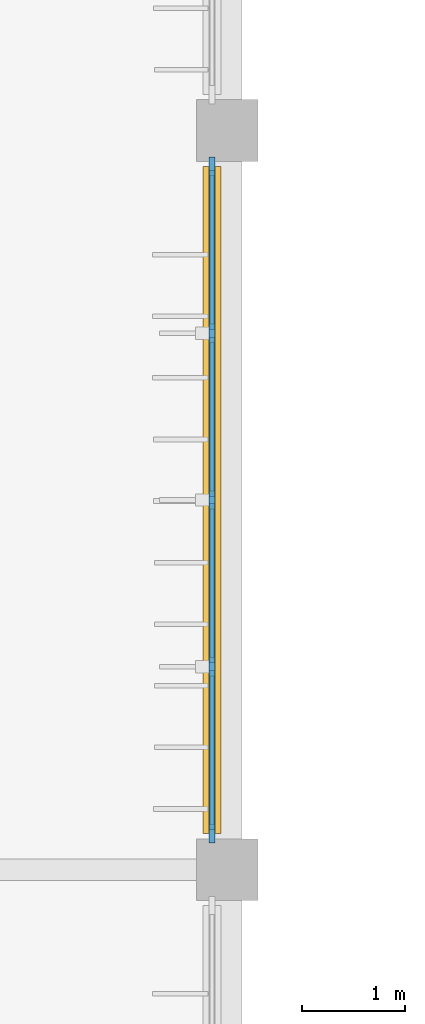
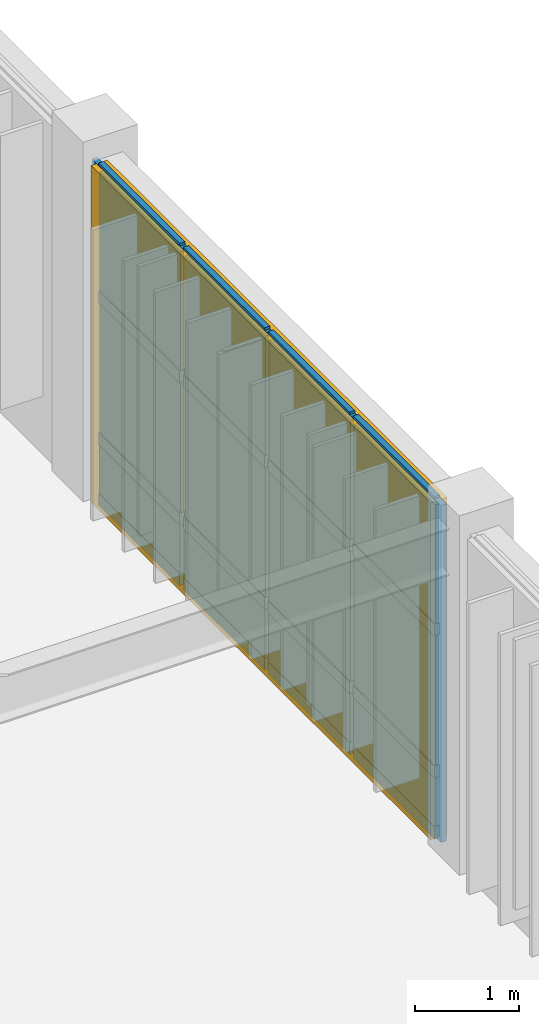
# One storey, part 73 of 122: 21 members, 12 plates, 1 curtain wall.
"""IFC4 building model written with IfcOpenShell, lengths in metres."""

from ifc_helpers import new_model, si_unit, direction, frame, frame_2d, origin, origin_2d, place, context, subcontext, project, spatial, rectangle, extrude, material, layer, layer_set, material_profile, profile_set, type_object, element, aggregate, save


model = new_model("IFC4")

# Units and contexts
model_context = context("Model", 3, precision=1e-05, world=origin(), true_north=direction((0.0, 1.0)))
body_context = subcontext(model_context, "Body", "Model", "MODEL_VIEW")
ifc_project = project(units=[si_unit("LENGTHUNIT", "METRE"), si_unit("AREAUNIT", "SQUARE_METRE"), si_unit("VOLUMEUNIT", "CUBIC_METRE"), si_unit("PLANEANGLEUNIT", "RADIAN"), si_unit("MASSUNIT", "GRAM", prefix="KILO")], contexts=[model_context])

# Member
ifc_material_1 = material(Name="Anodised Bronze Aluminium 6063-T6", Category="aluminium")
ifc_material_profile_1 = material_profile(ifc_material_1, rectangle(XDim=0.06005859375, YDim=0.179931640625, at=origin_2d()), Name="ALU MULLION 60x180")
ifc_profile_set_1 = profile_set([ifc_material_profile_1], Name="Anodised Bronze Aluminium 6063-T6")
member_type_1 = type_object("IfcMemberType", Name="Curtain-Wall Primary Mullion 60x180", PredefinedType="MULLION", material=ifc_profile_set_1)
site_placement = place(None, origin())
building_placement = place(site_placement, origin())
storey_placement = place(building_placement, frame((0.0, 0.0, 4.800048828125)))
member_1_placement = place(storey_placement, frame((27.449951171875, 59.35009765625, 0.0), z_axis=(0.0, 0.0, 1.0), x_axis=(1.0, 0.0, 0.0)))
member_1 = element("IfcMember", 1, at=member_1_placement, type_object=member_type_1, Name="Mullion CWM-01 CW-V6-E1-L01-B3-M01", PredefinedType="MULLION", context=body_context, shape_type="SweptSolid", body=[
    extrude(rectangle(XDim=0.06005859375, YDim=0.179931640625, at=origin_2d()), origin(), (0.0, 0.0, 1.0), 3.93994140625),
])

member_2_placement = place(storey_placement, frame((27.449951171875, 60.97509765625, 0.0), z_axis=(0.0, 0.0, 1.0), x_axis=(1.0, 0.0, 0.0)))
member_2 = element("IfcMember", 2, at=member_2_placement, type_object=member_type_1, Name="Mullion CWM-01 CW-V6-E1-L01-B3-M02", PredefinedType="MULLION", context=body_context, shape_type="SweptSolid", body=[
    extrude(rectangle(XDim=0.06005859375, YDim=0.179931640625, at=origin_2d()), origin(), (0.0, 0.0, 1.0), 3.93994140625),
])

member_3_placement = place(storey_placement, frame((27.449951171875, 62.60009765625, 0.0), z_axis=(0.0, 0.0, 1.0), x_axis=(1.0, 0.0, 0.0)))
member_3 = element("IfcMember", 3, at=member_3_placement, type_object=member_type_1, Name="Mullion CWM-01 CW-V6-E1-L01-B3-M03", PredefinedType="MULLION", context=body_context, shape_type="SweptSolid", body=[
    extrude(rectangle(XDim=0.06005859375, YDim=0.179931640625, at=origin_2d()), origin(), (0.0, 0.0, 1.0), 3.93994140625),
])

member_4_placement = place(storey_placement, frame((27.449951171875, 64.22509765625, 0.0), z_axis=(0.0, 0.0, 1.0), x_axis=(1.0, 0.0, 0.0)))
member_4 = element("IfcMember", 4, at=member_4_placement, type_object=member_type_1, Name="Mullion CWM-01 CW-V6-E1-L01-B3-M04", PredefinedType="MULLION", context=body_context, shape_type="SweptSolid", body=[
    extrude(rectangle(XDim=0.06005859375, YDim=0.179931640625, at=origin_2d()), origin(), (0.0, 0.0, 1.0), 3.93994140625),
])

member_5_placement = place(storey_placement, frame((27.449951171875, 65.85009765625, 0.0), z_axis=(0.0, 0.0, 1.0), x_axis=(1.0, 0.0, 0.0)))
member_5 = element("IfcMember", 5, at=member_5_placement, type_object=member_type_1, Name="Mullion CWM-01 CW-V6-E1-L01-B3-M05", PredefinedType="MULLION", context=body_context, shape_type="SweptSolid", body=[
    extrude(rectangle(XDim=0.06005859375, YDim=0.179931640625, at=origin_2d()), origin(), (0.0, 0.0, 1.0), 3.93994140625),
])

ifc_material_profile_2 = material_profile(ifc_material_1, rectangle(XDim=0.06005859375, YDim=0.139892578125, at=origin_2d()), Name="ALU TRANSOM 60x140")
ifc_profile_set_2 = profile_set([ifc_material_profile_2], Name="Anodised Bronze Aluminium 6063-T6")
member_type_2 = type_object("IfcMemberType", Name="Curtain-Wall Transom 60x140", PredefinedType="USERDEFINED", material=ifc_profile_set_2)
member_6_placement = place(storey_placement, frame((27.449951171875, 59.385009765625, 0.0400390625), z_axis=(0.0, 1.0, 0.0), x_axis=(-1.0, 0.0, 0.0)))
member_6 = element("IfcMember", 6, at=member_6_placement, type_object=member_type_2, Name="Transom CWT-01 CW-V6-E1-L01-B3-T01.1", ObjectType="TRANSOM", PredefinedType="USERDEFINED", context=body_context, shape_type="SweptSolid", body=[
    extrude(rectangle(XDim=0.06005859375, YDim=0.139892578125, at=origin_2d()), origin(), (0.0, 0.0, 1.0), 1.554931640625),
])

member_7_placement = place(storey_placement, frame((27.449951171875, 59.385009765625, 0.75), z_axis=(0.0, 1.0, 0.0), x_axis=(-1.0, 0.0, 0.0)))
member_7 = element("IfcMember", 7, at=member_7_placement, type_object=member_type_2, Name="Transom CWT-01 CW-V6-E1-L01-B3-T01.2", ObjectType="TRANSOM", PredefinedType="USERDEFINED", context=body_context, shape_type="SweptSolid", body=[
    extrude(rectangle(XDim=0.06005859375, YDim=0.139892578125, at=origin_2d()), origin(), (0.0, 0.0, 1.0), 1.554931640625),
])

member_8_placement = place(storey_placement, frame((27.449951171875, 59.385009765625, 2.40869140625), z_axis=(0.0, 1.0, 0.0), x_axis=(-1.0, 0.0, 0.0)))
member_8 = element("IfcMember", 8, at=member_8_placement, type_object=member_type_2, Name="Transom CWT-01 CW-V6-E1-L01-B3-T01.3", ObjectType="TRANSOM", PredefinedType="USERDEFINED", context=body_context, shape_type="SweptSolid", body=[
    extrude(rectangle(XDim=0.06005859375, YDim=0.139892578125, at=origin_2d()), origin(), (0.0, 0.0, 1.0), 1.554931640625),
])

member_9_placement = place(storey_placement, frame((27.449951171875, 59.385009765625, 3.89990234375), z_axis=(0.0, 1.0, 0.0), x_axis=(-1.0, 0.0, 0.0)))
member_9 = element("IfcMember", 9, at=member_9_placement, type_object=member_type_2, Name="Transom CWT-01 CW-V6-E1-L01-B3-T01.4", ObjectType="TRANSOM", PredefinedType="USERDEFINED", context=body_context, shape_type="SweptSolid", body=[
    extrude(rectangle(XDim=0.06005859375, YDim=0.139892578125, at=origin_2d()), origin(), (0.0, 0.0, 1.0), 1.554931640625),
])

member_10_placement = place(storey_placement, frame((27.449951171875, 61.010009765625, 0.0400390625), z_axis=(0.0, 1.0, 0.0), x_axis=(-1.0, 0.0, 0.0)))
member_10 = element("IfcMember", 10, at=member_10_placement, type_object=member_type_2, Name="Transom CWT-01 CW-V6-E1-L01-B3-T02.1", ObjectType="TRANSOM", PredefinedType="USERDEFINED", context=body_context, shape_type="SweptSolid", body=[
    extrude(rectangle(XDim=0.06005859375, YDim=0.139892578125, at=origin_2d()), origin(), (0.0, 0.0, 1.0), 1.554931640625),
])

member_11_placement = place(storey_placement, frame((27.449951171875, 61.010009765625, 0.75), z_axis=(0.0, 1.0, 0.0), x_axis=(-1.0, 0.0, 0.0)))
member_11 = element("IfcMember", 11, at=member_11_placement, type_object=member_type_2, Name="Transom CWT-01 CW-V6-E1-L01-B3-T02.2", ObjectType="TRANSOM", PredefinedType="USERDEFINED", context=body_context, shape_type="SweptSolid", body=[
    extrude(rectangle(XDim=0.06005859375, YDim=0.139892578125, at=origin_2d()), origin(), (0.0, 0.0, 1.0), 1.554931640625),
])

member_12_placement = place(storey_placement, frame((27.449951171875, 61.010009765625, 2.40869140625), z_axis=(0.0, 1.0, 0.0), x_axis=(-1.0, 0.0, 0.0)))
member_12 = element("IfcMember", 12, at=member_12_placement, type_object=member_type_2, Name="Transom CWT-01 CW-V6-E1-L01-B3-T02.3", ObjectType="TRANSOM", PredefinedType="USERDEFINED", context=body_context, shape_type="SweptSolid", body=[
    extrude(rectangle(XDim=0.06005859375, YDim=0.139892578125, at=origin_2d()), origin(), (0.0, 0.0, 1.0), 1.554931640625),
])

member_13_placement = place(storey_placement, frame((27.449951171875, 61.010009765625, 3.89990234375), z_axis=(0.0, 1.0, 0.0), x_axis=(-1.0, 0.0, 0.0)))
member_13 = element("IfcMember", 13, at=member_13_placement, type_object=member_type_2, Name="Transom CWT-01 CW-V6-E1-L01-B3-T02.4", ObjectType="TRANSOM", PredefinedType="USERDEFINED", context=body_context, shape_type="SweptSolid", body=[
    extrude(rectangle(XDim=0.06005859375, YDim=0.139892578125, at=origin_2d()), origin(), (0.0, 0.0, 1.0), 1.554931640625),
])

member_14_placement = place(storey_placement, frame((27.449951171875, 62.635009765625, 0.0400390625), z_axis=(0.0, 1.0, 0.0), x_axis=(-1.0, 0.0, 0.0)))
member_14 = element("IfcMember", 14, at=member_14_placement, type_object=member_type_2, Name="Transom CWT-01 CW-V6-E1-L01-B3-T03.1", ObjectType="TRANSOM", PredefinedType="USERDEFINED", context=body_context, shape_type="SweptSolid", body=[
    extrude(rectangle(XDim=0.06005859375, YDim=0.139892578125, at=origin_2d()), origin(), (0.0, 0.0, 1.0), 1.554931640625),
])

member_15_placement = place(storey_placement, frame((27.449951171875, 62.635009765625, 0.75), z_axis=(0.0, 1.0, 0.0), x_axis=(-1.0, 0.0, 0.0)))
member_15 = element("IfcMember", 15, at=member_15_placement, type_object=member_type_2, Name="Transom CWT-01 CW-V6-E1-L01-B3-T03.2", ObjectType="TRANSOM", PredefinedType="USERDEFINED", context=body_context, shape_type="SweptSolid", body=[
    extrude(rectangle(XDim=0.06005859375, YDim=0.139892578125, at=origin_2d()), origin(), (0.0, 0.0, 1.0), 1.554931640625),
])

member_16_placement = place(storey_placement, frame((27.449951171875, 62.635009765625, 2.40869140625), z_axis=(0.0, 1.0, 0.0), x_axis=(-1.0, 0.0, 0.0)))
member_16 = element("IfcMember", 16, at=member_16_placement, type_object=member_type_2, Name="Transom CWT-01 CW-V6-E1-L01-B3-T03.3", ObjectType="TRANSOM", PredefinedType="USERDEFINED", context=body_context, shape_type="SweptSolid", body=[
    extrude(rectangle(XDim=0.06005859375, YDim=0.139892578125, at=origin_2d()), origin(), (0.0, 0.0, 1.0), 1.554931640625),
])

member_17_placement = place(storey_placement, frame((27.449951171875, 62.635009765625, 3.89990234375), z_axis=(0.0, 1.0, 0.0), x_axis=(-1.0, 0.0, 0.0)))
member_17 = element("IfcMember", 17, at=member_17_placement, type_object=member_type_2, Name="Transom CWT-01 CW-V6-E1-L01-B3-T03.4", ObjectType="TRANSOM", PredefinedType="USERDEFINED", context=body_context, shape_type="SweptSolid", body=[
    extrude(rectangle(XDim=0.06005859375, YDim=0.139892578125, at=origin_2d()), origin(), (0.0, 0.0, 1.0), 1.554931640625),
])

member_18_placement = place(storey_placement, frame((27.449951171875, 64.260009765625, 0.0400390625), z_axis=(0.0, 1.0, 0.0), x_axis=(-1.0, 0.0, 0.0)))
member_18 = element("IfcMember", 18, at=member_18_placement, type_object=member_type_2, Name="Transom CWT-01 CW-V6-E1-L01-B3-T04.1", ObjectType="TRANSOM", PredefinedType="USERDEFINED", context=body_context, shape_type="SweptSolid", body=[
    extrude(rectangle(XDim=0.06005859375, YDim=0.139892578125, at=origin_2d()), origin(), (0.0, 0.0, 1.0), 1.554931640625),
])

member_19_placement = place(storey_placement, frame((27.449951171875, 64.260009765625, 0.75), z_axis=(0.0, 1.0, 0.0), x_axis=(-1.0, 0.0, 0.0)))
member_19 = element("IfcMember", 19, at=member_19_placement, type_object=member_type_2, Name="Transom CWT-01 CW-V6-E1-L01-B3-T04.2", ObjectType="TRANSOM", PredefinedType="USERDEFINED", context=body_context, shape_type="SweptSolid", body=[
    extrude(rectangle(XDim=0.06005859375, YDim=0.139892578125, at=origin_2d()), origin(), (0.0, 0.0, 1.0), 1.554931640625),
])

member_20_placement = place(storey_placement, frame((27.449951171875, 64.260009765625, 2.40869140625), z_axis=(0.0, 1.0, 0.0), x_axis=(-1.0, 0.0, 0.0)))
member_20 = element("IfcMember", 20, at=member_20_placement, type_object=member_type_2, Name="Transom CWT-01 CW-V6-E1-L01-B3-T04.3", ObjectType="TRANSOM", PredefinedType="USERDEFINED", context=body_context, shape_type="SweptSolid", body=[
    extrude(rectangle(XDim=0.06005859375, YDim=0.139892578125, at=origin_2d()), origin(), (0.0, 0.0, 1.0), 1.554931640625),
])

member_21_placement = place(storey_placement, frame((27.449951171875, 64.260009765625, 3.89990234375), z_axis=(0.0, 1.0, 0.0), x_axis=(-1.0, 0.0, 0.0)))
member_21 = element("IfcMember", 21, at=member_21_placement, type_object=member_type_2, Name="Transom CWT-01 CW-V6-E1-L01-B3-T04.4", ObjectType="TRANSOM", PredefinedType="USERDEFINED", context=body_context, shape_type="SweptSolid", body=[
    extrude(rectangle(XDim=0.06005859375, YDim=0.139892578125, at=origin_2d()), origin(), (0.0, 0.0, 1.0), 1.554931640625),
])

# Plate
ifc_material_2 = material(Name="Insulated Bronze Aluminium Spandrel Panel", Category="aluminium")
ifc_layer_1 = layer(ifc_material_2, 0.050048828125, Name="Insulated Bronze Aluminium Spandrel Panel")
ifc_layer_set_1 = layer_set([ifc_layer_1], Name="Insulated Bronze Aluminium Spandrel Panel")
plate_type_1 = type_object("IfcPlateType", Name="Insulated Anodised Aluminium Spandrel Cassette 50", PredefinedType="CURTAIN_PANEL", material=ifc_layer_set_1)
plate_1_placement = place(storey_placement, frame((27.449951171875, 60.16259765625, 0.070068359375), z_axis=(0.0, 0.0, 1.0), x_axis=(0.0, 1.0, 0.0)))
plate_1 = element("IfcPlate", 22, at=plate_1_placement, type_object=plate_type_1, Name="Curtain Panel CWP-03 CW-V6-E1-L01-B3-P01.1", PredefinedType="CURTAIN_PANEL", context=body_context, shape_type="SweptSolid", body=[
    extrude(rectangle(XDim=1.554931640625, YDim=0.050048828125, at=origin_2d()), origin(), (0.0, 0.0, 1.0), 0.64990234375),
])

plate_2_placement = place(storey_placement, frame((27.449951171875, 61.78759765625, 0.070068359375), z_axis=(0.0, 0.0, 1.0), x_axis=(0.0, 1.0, 0.0)))
plate_2 = element("IfcPlate", 23, at=plate_2_placement, type_object=plate_type_1, Name="Curtain Panel CWP-03 CW-V6-E1-L01-B3-P02.1", PredefinedType="CURTAIN_PANEL", context=body_context, shape_type="SweptSolid", body=[
    extrude(rectangle(XDim=1.554931640625, YDim=0.050048828125, at=origin_2d()), origin(), (0.0, 0.0, 1.0), 0.64990234375),
])

plate_3_placement = place(storey_placement, frame((27.449951171875, 63.41259765625, 0.070068359375), z_axis=(0.0, 0.0, 1.0), x_axis=(0.0, 1.0, 0.0)))
plate_3 = element("IfcPlate", 24, at=plate_3_placement, type_object=plate_type_1, Name="Curtain Panel CWP-03 CW-V6-E1-L01-B3-P03.1", PredefinedType="CURTAIN_PANEL", context=body_context, shape_type="SweptSolid", body=[
    extrude(rectangle(XDim=1.554931640625, YDim=0.050048828125, at=origin_2d()), origin(), (0.0, 0.0, 1.0), 0.64990234375),
])

plate_4_placement = place(storey_placement, frame((27.449951171875, 65.03759765625, 0.070068359375), z_axis=(0.0, 0.0, 1.0), x_axis=(0.0, 1.0, 0.0)))
plate_4 = element("IfcPlate", 25, at=plate_4_placement, type_object=plate_type_1, Name="Curtain Panel CWP-03 CW-V6-E1-L01-B3-P04.1", PredefinedType="CURTAIN_PANEL", context=body_context, shape_type="SweptSolid", body=[
    extrude(rectangle(XDim=1.554931640625, YDim=0.050048828125, at=origin_2d()), origin(), (0.0, 0.0, 1.0), 0.64990234375),
])

ifc_material_3 = material(Name="Solar-Control Tempered Double Glazing", Category="glass")
ifc_layer_2 = layer(ifc_material_3, 0.0380859375, Name="Solar-Control Tempered Double Glazing")
ifc_layer_set_2 = layer_set([ifc_layer_2], Name="Solar-Control Tempered Double Glazing")
plate_type_2 = type_object("IfcPlateType", Name="Solar-Control Vision Glazing Unit 38", PredefinedType="CURTAIN_PANEL", material=ifc_layer_set_2)
plate_5_placement = place(storey_placement, frame((27.449951171875, 60.16259765625, 0.77978515625), z_axis=(0.0, 0.0, 1.0), x_axis=(0.0, 1.0, 0.0)))
plate_5 = element("IfcPlate", 26, at=plate_5_placement, type_object=plate_type_2, Name="Curtain Panel CWP-02 CW-V6-E1-L01-B3-P01.2", PredefinedType="CURTAIN_PANEL", context=body_context, shape_type="SweptSolid", body=[
    extrude(rectangle(XDim=1.554931640625, YDim=0.0380859375, at=origin_2d()), origin(), (0.0, 0.0, 1.0), 1.598876953125),
])

plate_6_placement = place(storey_placement, frame((27.449951171875, 60.16259765625, 2.438720703125), z_axis=(0.0, 0.0, 1.0), x_axis=(0.0, 1.0, 0.0)))
plate_6 = element("IfcPlate", 27, at=plate_6_placement, type_object=plate_type_2, Name="Curtain Panel CWP-02 CW-V6-E1-L01-B3-P01.3", PredefinedType="CURTAIN_PANEL", context=body_context, shape_type="SweptSolid", body=[
    extrude(rectangle(XDim=1.554931640625, YDim=0.0380859375, at=origin_2d()), origin(), (0.0, 0.0, 1.0), 1.43115234375),
])

plate_7_placement = place(storey_placement, frame((27.449951171875, 61.78759765625, 0.77978515625), z_axis=(0.0, 0.0, 1.0), x_axis=(0.0, 1.0, 0.0)))
plate_7 = element("IfcPlate", 28, at=plate_7_placement, type_object=plate_type_2, Name="Curtain Panel CWP-02 CW-V6-E1-L01-B3-P02.2", PredefinedType="CURTAIN_PANEL", context=body_context, shape_type="SweptSolid", body=[
    extrude(rectangle(XDim=1.554931640625, YDim=0.0380859375, at=origin_2d()), origin(), (0.0, 0.0, 1.0), 1.598876953125),
])

plate_8_placement = place(storey_placement, frame((27.449951171875, 61.78759765625, 2.438720703125), z_axis=(0.0, 0.0, 1.0), x_axis=(0.0, 1.0, 0.0)))
plate_8 = element("IfcPlate", 29, at=plate_8_placement, type_object=plate_type_2, Name="Curtain Panel CWP-02 CW-V6-E1-L01-B3-P02.3", PredefinedType="CURTAIN_PANEL", context=body_context, shape_type="SweptSolid", body=[
    extrude(rectangle(XDim=1.554931640625, YDim=0.0380859375, at=origin_2d()), origin(), (0.0, 0.0, 1.0), 1.43115234375),
])

plate_9_placement = place(storey_placement, frame((27.449951171875, 63.41259765625, 0.77978515625), z_axis=(0.0, 0.0, 1.0), x_axis=(0.0, 1.0, 0.0)))
plate_9 = element("IfcPlate", 30, at=plate_9_placement, type_object=plate_type_2, Name="Curtain Panel CWP-02 CW-V6-E1-L01-B3-P03.2", PredefinedType="CURTAIN_PANEL", context=body_context, shape_type="SweptSolid", body=[
    extrude(rectangle(XDim=1.554931640625, YDim=0.0380859375, at=origin_2d()), origin(), (0.0, 0.0, 1.0), 1.598876953125),
])

plate_10_placement = place(storey_placement, frame((27.449951171875, 63.41259765625, 2.438720703125), z_axis=(0.0, 0.0, 1.0), x_axis=(0.0, 1.0, 0.0)))
plate_10 = element("IfcPlate", 31, at=plate_10_placement, type_object=plate_type_2, Name="Curtain Panel CWP-02 CW-V6-E1-L01-B3-P03.3", PredefinedType="CURTAIN_PANEL", context=body_context, shape_type="SweptSolid", body=[
    extrude(rectangle(XDim=1.554931640625, YDim=0.0380859375, at=origin_2d()), origin(), (0.0, 0.0, 1.0), 1.43115234375),
])

plate_11_placement = place(storey_placement, frame((27.449951171875, 65.03759765625, 0.77978515625), z_axis=(0.0, 0.0, 1.0), x_axis=(0.0, 1.0, 0.0)))
plate_11 = element("IfcPlate", 32, at=plate_11_placement, type_object=plate_type_2, Name="Curtain Panel CWP-02 CW-V6-E1-L01-B3-P04.2", PredefinedType="CURTAIN_PANEL", context=body_context, shape_type="SweptSolid", body=[
    extrude(rectangle(XDim=1.554931640625, YDim=0.0380859375, at=origin_2d()), origin(), (0.0, 0.0, 1.0), 1.598876953125),
])

plate_12_placement = place(storey_placement, frame((27.449951171875, 65.03759765625, 2.438720703125), z_axis=(0.0, 0.0, 1.0), x_axis=(0.0, 1.0, 0.0)))
plate_12 = element("IfcPlate", 33, at=plate_12_placement, type_object=plate_type_2, Name="Curtain Panel CWP-02 CW-V6-E1-L01-B3-P04.3", PredefinedType="CURTAIN_PANEL", context=body_context, shape_type="SweptSolid", body=[
    extrude(rectangle(XDim=1.554931640625, YDim=0.0380859375, at=origin_2d()), origin(), (0.0, 0.0, 1.0), 1.43115234375),
])

# Site, building, storey
site = spatial("IfcSite", under=ifc_project, at=site_placement, CompositionType="ELEMENT")
building = spatial("IfcBuilding", under=site, at=building_placement, Name="Tazoul Stagehouse", CompositionType="ELEMENT")
storey = spatial("IfcBuildingStorey", under=building, at=storey_placement, Name="L01", CompositionType="ELEMENT", Elevation=4.800048828125)

# Curtain wall
curtain_wall_type = type_object("IfcCurtainWallType", Name="Foyer Clear Solar-Control Curtain Wall", PredefinedType="NOTDEFINED", material=ifc_material_1)
curtain_wall_placement = place(storey_placement, frame((27.449951171875, 59.35009765625, 0.0), z_axis=(0.0, 0.0, 1.0), x_axis=(0.0, 1.0, 0.0)))
curtain_wall = element("IfcCurtainWall", 34, at=curtain_wall_placement, inside=storey, type_object=curtain_wall_type, Name="L01 Curtain Wall CW-02 (CW-V6-E1-L01-B3)", PredefinedType="NOTDEFINED", context=body_context, shape_type="SweptSolid", body=[
    extrude(rectangle(XDim=6.5, YDim=0.179931640625, at=frame_2d((3.25, 0.0))), origin(), (0.0, 0.0, 1.0), 3.93994140625),
])

aggregate(curtain_wall, [member_1, member_2, member_3, member_4, member_5, member_6, member_7, member_8, member_9, plate_1, plate_5, plate_6, member_10, member_11, member_12, member_13, plate_2, plate_7, plate_8, member_14, member_15, member_16, member_17, plate_3, plate_9, plate_10, member_18, member_19, member_20, member_21, plate_4, plate_11, plate_12])

save(model, "model.ifc")
